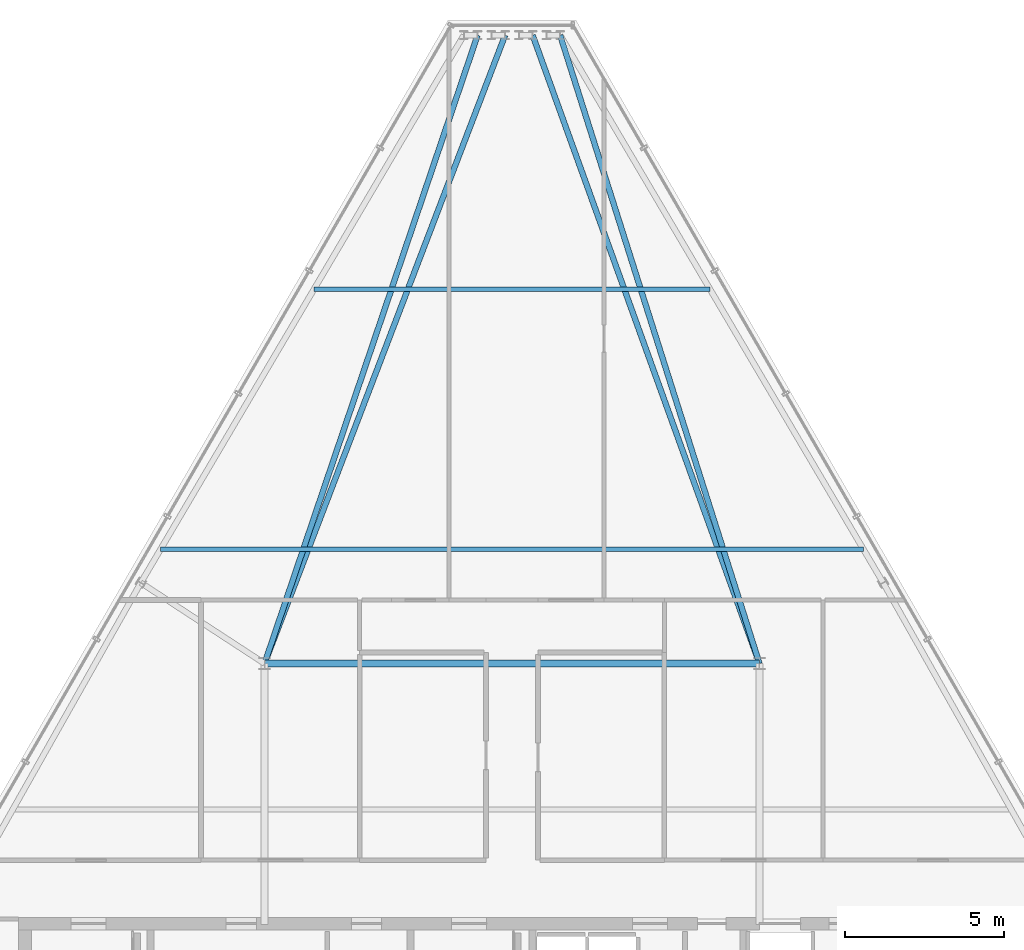
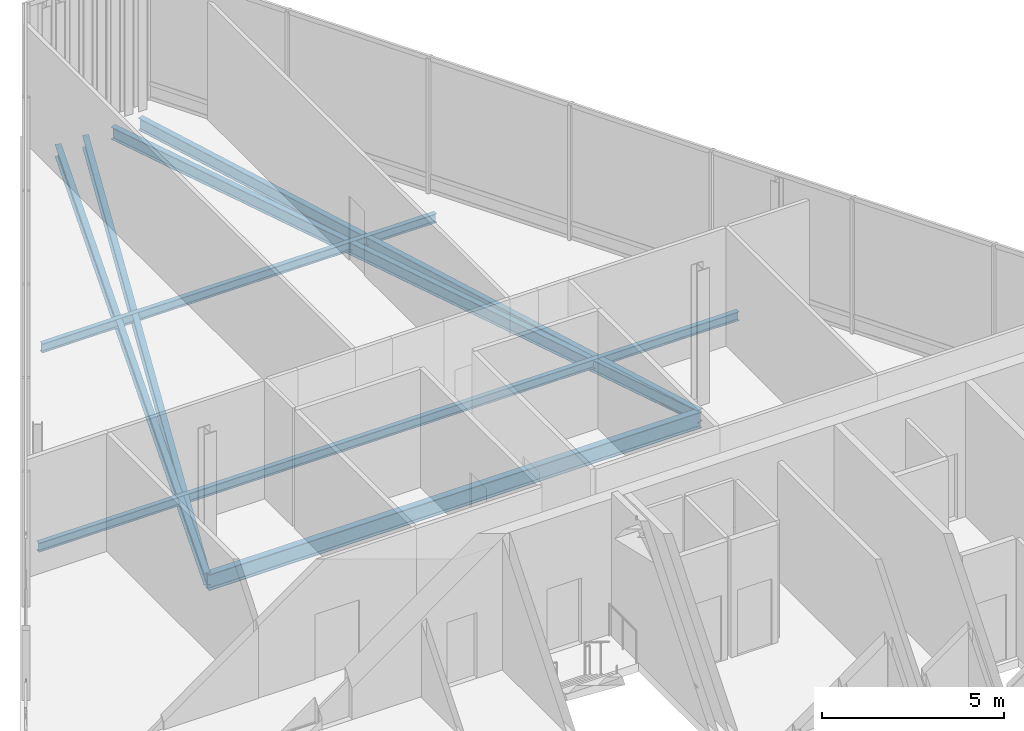
# One storey, part 12 of 25: 7 beams.
"""IFC4 building model written with IfcOpenShell, lengths in metres."""

from ifc_helpers import new_model, si_unit, direction, frame, origin, origin_2d, place, context, subcontext, project, spatial, i_section, extrude, material, material_profile, profile_set, type_object, element, save


model = new_model("IFC4")

# Units and contexts
model_context = context("Model", 3, precision=1e-05, world=origin(), true_north=direction((0.0, 1.0)))
body_context = subcontext(model_context, "Body", "Model", "MODEL_VIEW")
ifc_project = project(units=[si_unit("LENGTHUNIT", "METRE"), si_unit("AREAUNIT", "SQUARE_METRE"), si_unit("VOLUMEUNIT", "CUBIC_METRE"), si_unit("PLANEANGLEUNIT", "RADIAN"), si_unit("MASSUNIT", "GRAM", prefix="KILO")], contexts=[model_context])

# Site, building, storey
site_placement = place(None, origin())
site = spatial("IfcSite", under=ifc_project, at=site_placement, CompositionType="ELEMENT")
building_placement = place(site_placement, origin())
building = spatial("IfcBuilding", under=site, at=building_placement, Name="Ndaravel Arena Tower", CompositionType="ELEMENT")
storey_placement = place(building_placement, frame((0.0, 0.0, 298.5)))
storey = spatial("IfcBuildingStorey", under=building, at=storey_placement, Name="L73", CompositionType="ELEMENT", Elevation=298.5)

# Beams
ifc_material_1 = material(Name="Steel S355", Category="steel")
ifc_material_profile_1 = material_profile(ifc_material_1, i_section(OverallWidth=0.1787109375, OverallDepth=0.409423828125, WebThickness=0.0087890625, FlangeThickness=0.014404296875, FilletRadius=0.01025390625, at=origin_2d()), Name="UB 406x178x67")
ifc_profile_set_1 = profile_set([ifc_material_profile_1], Name="Steel S355")
beam_type_1 = type_object("IfcBeamType", Name="BM-GIRD-UB406", PredefinedType="BEAM", material=ifc_profile_set_1)
beam_1_placement = place(storey_placement, frame((43.518310546875, 43.00537109375, -0.484619140625), z_axis=(0.302330054416, -0.953203303706, 0.0), x_axis=(0.953203303706, 0.302330054416, 0.0)))
element("IfcBeam", 1, at=beam_1_placement, inside=storey, type_object=beam_type_1, Name="L73 Radial Floor Girder FG-11", PredefinedType="BEAM", context=body_context, shape_type="SweptSolid", body=[
    extrude(i_section(OverallWidth=0.1787109375, OverallDepth=0.409423828125, WebThickness=0.0087890625, FlangeThickness=0.014404296875, FilletRadius=0.01025390625, at=origin_2d()), origin(), (0.0, 0.0, 1.0), 20.77783203125),
])
beam_2_placement = place(storey_placement, frame((42.650634765625, 43.00537109375, -0.484619140625), z_axis=(0.339537616724, -0.94059247649, 0.0), x_axis=(0.94059247649, 0.339537616724, 0.0)))
element("IfcBeam", 2, at=beam_2_placement, inside=storey, type_object=beam_type_1, Name="L73 Radial Floor Girder FG-13", PredefinedType="BEAM", context=body_context, shape_type="SweptSolid", body=[
    extrude(i_section(OverallWidth=0.1787109375, OverallDepth=0.409423828125, WebThickness=0.0087890625, FlangeThickness=0.014404296875, FilletRadius=0.01025390625, at=origin_2d()), origin(), (0.0, 0.0, 1.0), 21.056396484375),
])
beam_3_placement = place(storey_placement, frame((41.783203125, 43.00537109375, -0.484619140625), z_axis=(-0.357573144424, -0.933885135542, 0.0), x_axis=(0.933885135542, -0.357573144424, 0.0)))
element("IfcBeam", 3, at=beam_3_placement, inside=storey, type_object=beam_type_1, Name="L73 Radial Floor Girder FG-15", PredefinedType="BEAM", context=body_context, shape_type="SweptSolid", body=[
    extrude(i_section(OverallWidth=0.1787109375, OverallDepth=0.409423828125, WebThickness=0.0087890625, FlangeThickness=0.014404296875, FilletRadius=0.01025390625, at=origin_2d()), origin(), (0.0, 0.0, 1.0), 21.20751953125),
])
beam_4_placement = place(storey_placement, frame((40.91552734375, 43.00537109375, -0.484619140625), z_axis=(-0.321119675227, -0.947038623385, 0.0), x_axis=(0.947038623385, -0.321119675227, 0.0)))
element("IfcBeam", 4, at=beam_4_placement, inside=storey, type_object=beam_type_1, Name="L73 Radial Floor Girder FG-17", PredefinedType="BEAM", context=body_context, shape_type="SweptSolid", body=[
    extrude(i_section(OverallWidth=0.1787109375, OverallDepth=0.409423828125, WebThickness=0.0087890625, FlangeThickness=0.014404296875, FilletRadius=0.01025390625, at=origin_2d()), origin(), (0.0, 0.0, 1.0), 20.9130859375),
])
ifc_material_2 = material(Name="Steel S355", Category="steel")
ifc_material_profile_2 = material_profile(ifc_material_2, i_section(OverallWidth=0.210693359375, OverallDepth=0.53955078125, WebThickness=0.01171875, FlangeThickness=0.018798828125, FilletRadius=0.0126953125, at=origin_2d()), Name="UB 533x210x109")
ifc_profile_set_2 = profile_set([ifc_material_profile_2], Name="Steel S355")
beam_type_2 = type_object("IfcBeamType", Name="BM-GIRD-UB533", PredefinedType="BEAM", material=ifc_profile_set_2)
beam_5_placement = place(storey_placement, frame((34.199951171875, 23.199951171875, -0.5498046875), z_axis=(1.0, 0.0, 0.0), x_axis=(0.0, 1.0, 0.0)))
element("IfcBeam", 5, at=beam_5_placement, inside=storey, type_object=beam_type_2, Name="L73 Spine Link Girder SLG-03", PredefinedType="BEAM", context=body_context, shape_type="SweptSolid", body=[
    extrude(i_section(OverallWidth=0.210693359375, OverallDepth=0.53955078125, WebThickness=0.01171875, FlangeThickness=0.018798828125, FilletRadius=0.0126953125, at=origin_2d()), origin(), (0.0, 0.0, 1.0), 15.60009765625),
])
ifc_material_3 = material(Name="Steel S355", Category="steel")
ifc_material_profile_3 = material_profile(ifc_material_3, i_section(OverallWidth=0.14990234375, OverallDepth=0.300048828125, WebThickness=0.007080078125, FlangeThickness=0.0107421875, FilletRadius=0.014892578125, at=origin_2d()), Name="IPE 300")
ifc_profile_set_3 = profile_set([ifc_material_profile_3], Name="Steel S355")
beam_type_3 = type_object("IfcBeamType", Name="BM-JOIST-IPE300", PredefinedType="JOIST", material=ifc_profile_set_3)
beam_6_placement = place(storey_placement, frame((30.922119140625, 26.800048828125, -0.429931640625), z_axis=(1.0, 0.0, 0.0), x_axis=(0.0, 1.0, 0.0)))
element("IfcBeam", 6, at=beam_6_placement, inside=storey, type_object=beam_type_3, Name="L73 Composite Floor Joist FJ-02", PredefinedType="JOIST", context=body_context, shape_type="SweptSolid", body=[
    extrude(i_section(OverallWidth=0.14990234375, OverallDepth=0.300048828125, WebThickness=0.007080078125, FlangeThickness=0.0107421875, FilletRadius=0.014892578125, at=origin_2d()), origin(), (0.0, 0.0, 1.0), 22.15576171875),
])
beam_7_placement = place(storey_placement, frame((35.75927734375, 35.0, -0.429931640625), z_axis=(1.0, 0.0, 0.0), x_axis=(0.0, 1.0, 0.0)))
element("IfcBeam", 7, at=beam_7_placement, inside=storey, type_object=beam_type_3, Name="L73 Composite Floor Joist FJ-03", PredefinedType="JOIST", context=body_context, shape_type="SweptSolid", body=[
    extrude(i_section(OverallWidth=0.14990234375, OverallDepth=0.300048828125, WebThickness=0.007080078125, FlangeThickness=0.0107421875, FilletRadius=0.014892578125, at=origin_2d()), origin(), (0.0, 0.0, 1.0), 12.4814453125),
])

save(model, "model.ifc")
